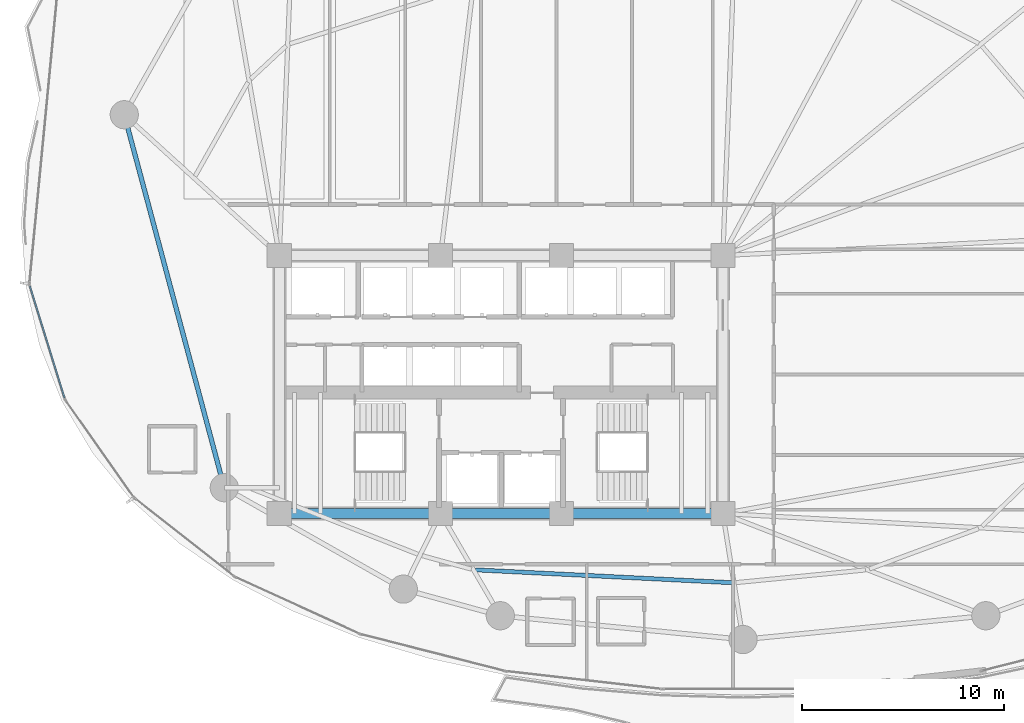
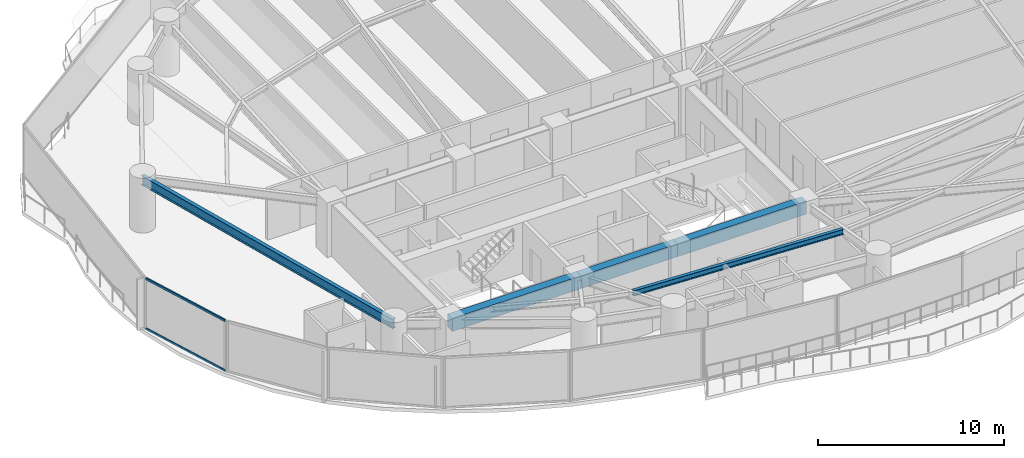
# One storey, part 7 of 32: 5 beams, 2 members, 1 element without a shape of its own.
"""IFC4 building model written with IfcOpenShell, lengths in metres."""

from ifc_helpers import new_model, si_unit, direction, frame, origin, origin_2d, place, context, subcontext, project, spatial, rectangle, hollow_rectangle, i_section, extrude, material, layer, layer_set, material_profile, profile_set, type_object, element, aggregate, save


model = new_model("IFC4")

# Units and contexts
model_context = context("Model", 3, precision=1e-05, world=origin(), true_north=direction((0.0, 1.0)))
body_context = subcontext(model_context, "Body", "Model", "MODEL_VIEW")
ifc_project = project(units=[si_unit("LENGTHUNIT", "METRE"), si_unit("AREAUNIT", "SQUARE_METRE"), si_unit("VOLUMEUNIT", "CUBIC_METRE"), si_unit("PLANEANGLEUNIT", "RADIAN"), si_unit("MASSUNIT", "GRAM", prefix="KILO")], contexts=[model_context])

# Site, building, storey
site_placement = place(None, origin())
site = spatial("IfcSite", under=ifc_project, at=site_placement, CompositionType="ELEMENT")
building_placement = place(site_placement, origin())
building = spatial("IfcBuilding", under=site, at=building_placement, Name="Kazevale Care Tower and Concert Hall", CompositionType="ELEMENT")
storey_placement = place(building_placement, frame((0.0, 0.0, 34.800048828125)))
storey = spatial("IfcBuildingStorey", under=building, at=storey_placement, Name="L08", CompositionType="ELEMENT", Elevation=34.800048828125)

# Curtain wall, members
ifc_material_1 = material(Name="Aluminium 6063-T6 and Low-E Glass", Category="aluminium")
ifc_layer = layer(ifc_material_1, 0.179931640625)
ifc_layer_set = layer_set([ifc_layer], Name="Aluminium 6063-T6 and Low-E Glass")
curtain_wall_type = type_object("IfcCurtainWallType", Name="Waist & Upper Residential Curtain Wall CW-4", PredefinedType="NOTDEFINED", material=ifc_layer_set)
curtain_wall_placement = place(storey_placement, origin())
curtain_wall = element("IfcCurtainWall", 1, at=curtain_wall_placement, inside=storey, type_object=curtain_wall_type, Name="cw:L08:f12", PredefinedType="NOTDEFINED")
ifc_material_2 = material(Name="Aluminium 6063-T6", Category="aluminium")
ifc_material_profile_1 = material_profile(ifc_material_2, hollow_rectangle(XDim=0.080078125, YDim=0.139892578125, WallThickness=0.00390625, at=origin_2d()), Name="ALU80x140x4")
ifc_profile_set_1 = profile_set([ifc_material_profile_1], Name="Aluminium 6063-T6")
member_type = type_object("IfcMemberType", Name="CW-4 Transom ALU80x140x4", PredefinedType="USERDEFINED", material=ifc_profile_set_1)
member_1_placement = place(storey_placement, frame((11.347412109375, 29.33447265625, 0.0400390625), z_axis=(-0.296117563823, 0.955151500232, 0.0), x_axis=(-0.955151500232, -0.296117563823, 0.0)))
member_1 = element("IfcMember", 2, at=member_1_placement, type_object=member_type, Name="CW-4 transom 1.1", ObjectType="TRANSOM", PredefinedType="USERDEFINED", context=body_context, shape_type="SweptSolid", body=[
    extrude(hollow_rectangle(XDim=0.080078125, YDim=0.139892578125, WallThickness=0.00390625, at=origin_2d()), origin(), (0.0, 0.0, 1.0), 5.8076171875),
])
member_2_placement = place(storey_placement, frame((11.347412109375, 29.33447265625, 3.320068359375), z_axis=(-0.296117563823, 0.955151500232, 0.0), x_axis=(-0.955151500232, -0.296117563823, 0.0)))
member_2 = element("IfcMember", 3, at=member_2_placement, type_object=member_type, Name="CW-4 transom 1.2", ObjectType="TRANSOM", PredefinedType="USERDEFINED", context=body_context, shape_type="SweptSolid", body=[
    extrude(hollow_rectangle(XDim=0.080078125, YDim=0.139892578125, WallThickness=0.00390625, at=origin_2d()), origin(), (0.0, 0.0, 1.0), 5.8076171875),
])
aggregate(curtain_wall, [member_1, member_2])

# Beams
ifc_material_3 = material(Name="Concrete C60", Category="concrete")
ifc_material_profile_2 = material_profile(ifc_material_3, rectangle(XDim=0.5, YDim=0.85009765625, at=origin_2d()), Name="RC-B500x850")
ifc_profile_set_2 = profile_set([ifc_material_profile_2], Name="Concrete C60")
beam_type_1 = type_object("IfcBeamType", Name="Core Coupling Beam RC500x850", PredefinedType="LINTEL", material=ifc_profile_set_2)
beam_1_placement = place(storey_placement, frame((22.0, 23.60009765625, 2.93505859375), z_axis=(1.0, 0.0, 0.0), x_axis=(0.0, 1.0, 0.0)))
element("IfcBeam", 4, at=beam_1_placement, inside=storey, type_object=beam_type_1, Name="beam:L08:coretie:1", PredefinedType="LINTEL", context=body_context, shape_type="SweptSolid", body=[
    extrude(rectangle(XDim=0.5, YDim=0.85009765625, at=origin_2d()), origin(), (0.0, 0.0, 1.0), 8.0),
])
beam_2_placement = place(storey_placement, frame((30.0, 23.60009765625, 2.93505859375), z_axis=(1.0, 0.0, 0.0), x_axis=(0.0, 1.0, 0.0)))
element("IfcBeam", 5, at=beam_2_placement, inside=storey, type_object=beam_type_1, Name="beam:L08:coretie:2", PredefinedType="LINTEL", context=body_context, shape_type="SweptSolid", body=[
    extrude(rectangle(XDim=0.5, YDim=0.85009765625, at=origin_2d()), origin(), (0.0, 0.0, 1.0), 6.0),
])
beam_3_placement = place(storey_placement, frame((36.0, 23.60009765625, 2.93505859375), z_axis=(1.0, 0.0, 0.0), x_axis=(0.0, 1.0, 0.0)))
element("IfcBeam", 6, at=beam_3_placement, inside=storey, type_object=beam_type_1, Name="beam:L08:coretie:3", PredefinedType="LINTEL", context=body_context, shape_type="SweptSolid", body=[
    extrude(rectangle(XDim=0.5, YDim=0.85009765625, at=origin_2d()), origin(), (0.0, 0.0, 1.0), 8.0),
])
ifc_material_4 = material(Name="Steel ASTM A572 Gr 50", Category="steel")
ifc_material_profile_3 = material_profile(ifc_material_4, i_section(OverallWidth=0.22900390625, OverallDepth=0.612060546875, WebThickness=0.011962890625, FlangeThickness=0.01953125, at=origin_2d()), Name="W610x125")
ifc_profile_set_3 = profile_set([ifc_material_profile_3], Name="Steel ASTM A572 Gr 50")
beam_type_2 = type_object("IfcBeamType", Name="Ring Spandrel Beam W610x125", PredefinedType="SPANDREL", material=ifc_profile_set_3)
beam_4_placement = place(storey_placement, frame((14.31005859375, 43.3798828125, 3.053955078125), z_axis=(0.258960352031, -0.965887952133, 0.0), x_axis=(0.965887952133, 0.258960352031, 0.0)))
element("IfcBeam", 7, at=beam_4_placement, inside=storey, type_object=beam_type_2, Name="beam:L08:ring:09", PredefinedType="SPANDREL", context=body_context, shape_type="SweptSolid", body=[
    extrude(i_section(OverallWidth=0.22900390625, OverallDepth=0.612060546875, WebThickness=0.011962890625, FlangeThickness=0.01953125, at=origin_2d()), origin(), (0.0, 0.0, 1.0), 19.1533203125),
])
ifc_material_profile_4 = material_profile(ifc_material_4, i_section(OverallWidth=0.205078125, OverallDepth=0.35400390625, WebThickness=0.009521484375, FlangeThickness=0.016845703125, at=origin_2d()), Name="W360x79")
ifc_profile_set_4 = profile_set([ifc_material_profile_4], Name="Steel ASTM A572 Gr 50")
beam_type_3 = type_object("IfcBeamType", Name="Secondary Floor Joist W360x79", PredefinedType="JOIST", material=ifc_profile_set_4)
beam_5_placement = place(storey_placement, frame((31.73291015625, 20.805908203125, 3.182861328125), z_axis=(0.998743186005, -0.050120339262, 0.0), x_axis=(0.050120339262, 0.998743186005, 0.0)))
element("IfcBeam", 8, at=beam_5_placement, inside=storey, type_object=beam_type_3, Name="beam:L08:joist:12", PredefinedType="JOIST", context=body_context, shape_type="SweptSolid", body=[
    extrude(i_section(OverallWidth=0.205078125, OverallDepth=0.35400390625, WebThickness=0.009521484375, FlangeThickness=0.016845703125, at=origin_2d()), origin(), (0.0, 0.0, 1.0), 12.728271484375),
])

save(model, "model.ifc")
